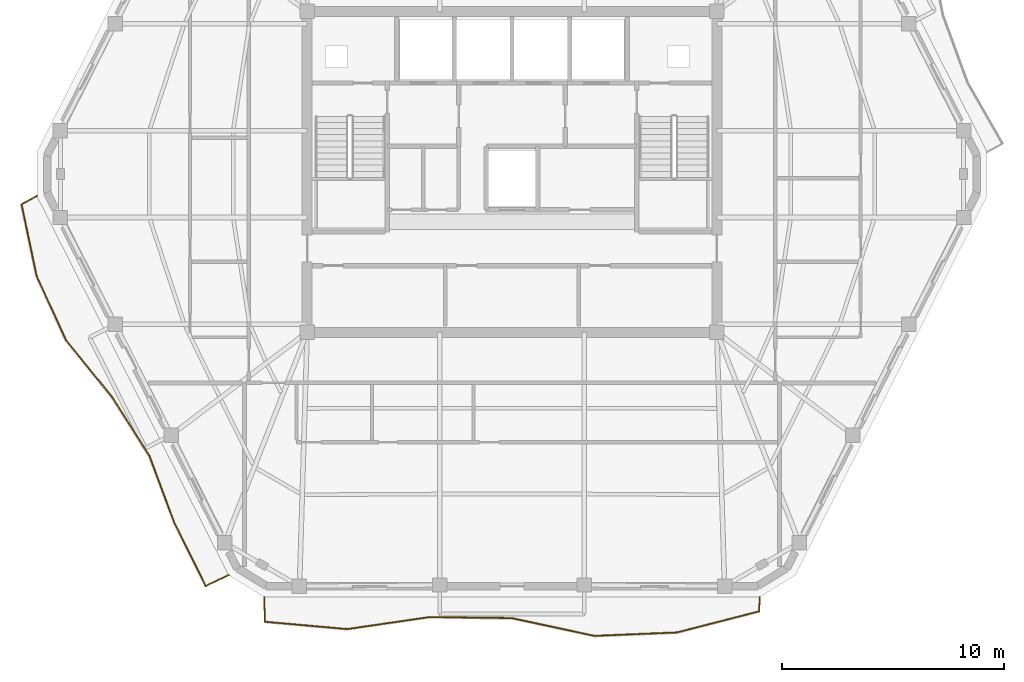
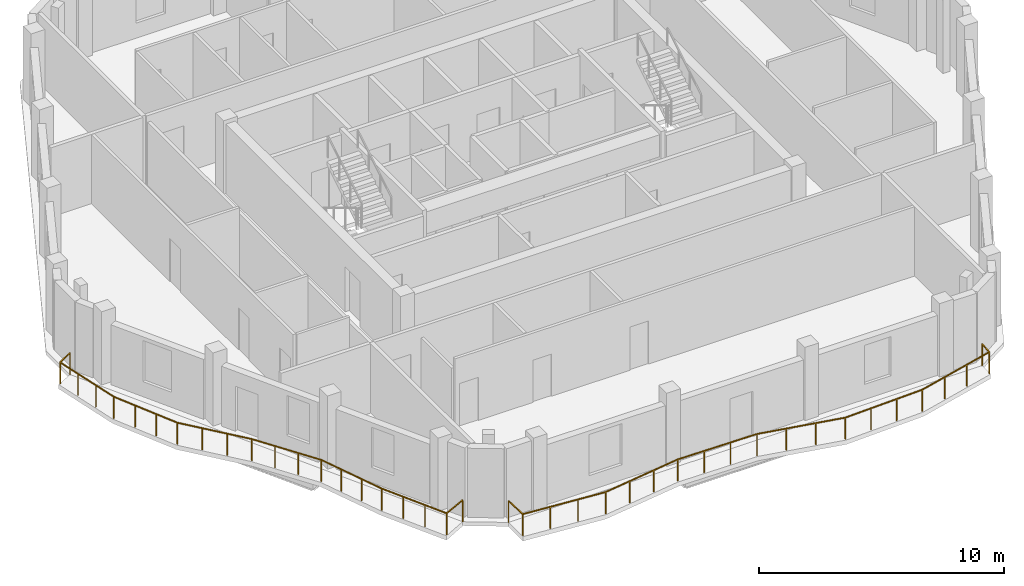
# One storey, part 8 of 10: 2 railings.
"""IFC4 building model written with IfcOpenShell, lengths in metres."""

from ifc_helpers import new_model, si_unit, direction, frame, origin, origin_2d, place, context, subcontext, project, spatial, rectangle, extrude, material, type_object, element, save


model = new_model("IFC4")

# Units and contexts
model_context = context("Model", 3, precision=1e-05, world=origin(), true_north=direction((0.0, 1.0)))
body_context = subcontext(model_context, "Body", "Model", "MODEL_VIEW")
ifc_project = project(units=[si_unit("LENGTHUNIT", "METRE"), si_unit("AREAUNIT", "SQUARE_METRE"), si_unit("VOLUMEUNIT", "CUBIC_METRE"), si_unit("PLANEANGLEUNIT", "RADIAN"), si_unit("MASSUNIT", "GRAM", prefix="KILO")], contexts=[model_context])

# Site, building, storey
site_placement = place(None, origin())
site = spatial("IfcSite", under=ifc_project, at=site_placement, CompositionType="ELEMENT")
building_placement = place(site_placement, origin())
building = spatial("IfcBuilding", under=site, at=building_placement, Name="Cinnabar Lancet Tower", CompositionType="ELEMENT")
storey_placement = place(building_placement, frame((0.0, 0.0, 263.5)))
storey = spatial("IfcBuildingStorey", under=building, at=storey_placement, Name="L70", CompositionType="ELEMENT", Elevation=263.5)

# Railings
ifc_material = material(Name="Laminated safety glass and bronze stainless steel balustrade", Category="steel")
railing_type = type_object("IfcRailingType", Name="ENV-RLG-BAL-1100", PredefinedType="BALUSTRADE", material=ifc_material)
railing_1_placement = place(storey_placement, frame((21.236083984375, 6.75, 0.0)))
element("IfcRailing", 1, at=railing_1_placement, inside=storey, type_object=railing_type, Name="L70 Face 1 Wave Balcony Balustrade", PredefinedType="BALUSTRADE", context=body_context, shape_type="SweptSolid", body=[
    extrude(rectangle(XDim=0.048095703125, YDim=0.048095703125, at=origin_2d()), frame((0.0, 0.0, 1.076171875), z_axis=(0.030474981061, -0.999535529898, 0.0), x_axis=(0.999535529898, 0.030474981061, 0.0)), (0.0, 0.0, 1.0), 1.113525390625),
    extrude(rectangle(XDim=0.048095703125, YDim=0.048095703125, at=origin_2d()), frame((0.033935546875, -1.113037109375, 1.076171875), z_axis=(0.99609636483, -0.088272487067, 0.0), x_axis=(0.088272487067, 0.99609636483, 0.0)), (0.0, 0.0, 1.0), 3.7255859375),
    extrude(rectangle(XDim=0.048095703125, YDim=0.048095703125, at=origin_2d()), frame((3.744873046875, -1.44189453125, 1.076171875), z_axis=(0.98950197199, 0.144519366962, 0.0), x_axis=(-0.144519366962, 0.98950197199, 0.0)), (0.0, 0.0, 1.0), 3.750244140625),
    extrude(rectangle(XDim=0.048095703125, YDim=0.048095703125, at=origin_2d()), frame((7.455810546875, -0.89990234375, 1.076171875), z_axis=(0.999908921218, -0.013496268689, 0.0), x_axis=(0.013496268689, 0.999908921218, 0.0)), (0.0, 0.0, 1.0), 3.708251953125),
    extrude(rectangle(XDim=0.048095703125, YDim=0.048095703125, at=origin_2d()), frame((11.163818359375, -0.949951171875, 1.076171875), z_axis=(0.977676038801, -0.210117974374, 0.0), x_axis=(0.210117974374, 0.977676038801, 0.0)), (0.0, 0.0, 1.0), 3.793701171875),
    extrude(rectangle(XDim=0.048095703125, YDim=0.048095703125, at=origin_2d()), frame((14.872802734375, -1.7470703125, 1.076171875), z_axis=(0.999160765381, 0.040960528843, 0.0), x_axis=(-0.040960528843, 0.999160765381, 0.0)), (0.0, 0.0, 1.0), 3.71337890625),
    extrude(rectangle(XDim=0.048095703125, YDim=0.048095703125, at=origin_2d()), frame((18.5830078125, -1.594970703125, 1.076171875), z_axis=(0.96851707852, 0.248947120117, 0.0), x_axis=(-0.248947120117, 0.96851707852, 0.0)), (0.0, 0.0, 1.0), 3.83154296875),
    extrude(rectangle(XDim=0.048095703125, YDim=0.048095703125, at=origin_2d()), frame((22.2939453125, -0.64111328125, 1.076171875), z_axis=(0.0528582185, 0.998602027205, 0.0), x_axis=(-0.998602027205, 0.0528582185, 0.0)), (0.0, 0.0, 1.0), 0.64208984375),
    extrude(rectangle(XDim=0.0419921875, YDim=0.0419921875, at=origin_2d()), origin(), (0.0, 0.0, 1.0), 1.052001953125),
    extrude(rectangle(XDim=0.0419921875, YDim=0.0419921875, at=origin_2d()), frame((0.033935546875, -1.113037109375, 0.0)), (0.0, 0.0, 1.0), 1.052001953125),
    extrude(rectangle(XDim=0.0419921875, YDim=0.0419921875, at=origin_2d()), frame((1.27099609375, -1.22265625, 0.0)), (0.0, 0.0, 1.0), 1.052001953125),
    extrude(rectangle(XDim=0.0419921875, YDim=0.0419921875, at=origin_2d()), frame((2.5078125, -1.332275390625, 0.0)), (0.0, 0.0, 1.0), 1.052001953125),
    extrude(rectangle(XDim=0.0419921875, YDim=0.0419921875, at=origin_2d()), frame((3.744873046875, -1.44189453125, 0.0)), (0.0, 0.0, 1.0), 1.052001953125),
    extrude(rectangle(XDim=0.0419921875, YDim=0.0419921875, at=origin_2d()), frame((4.98193359375, -1.26123046875, 0.0)), (0.0, 0.0, 1.0), 1.052001953125),
    extrude(rectangle(XDim=0.0419921875, YDim=0.0419921875, at=origin_2d()), frame((6.21875, -1.08056640625, 0.0)), (0.0, 0.0, 1.0), 1.052001953125),
    extrude(rectangle(XDim=0.0419921875, YDim=0.0419921875, at=origin_2d()), frame((7.455810546875, -0.89990234375, 0.0)), (0.0, 0.0, 1.0), 1.052001953125),
    extrude(rectangle(XDim=0.0419921875, YDim=0.0419921875, at=origin_2d()), frame((8.69189453125, -0.91650390625, 0.0)), (0.0, 0.0, 1.0), 1.052001953125),
    extrude(rectangle(XDim=0.0419921875, YDim=0.0419921875, at=origin_2d()), frame((9.927734375, -0.933349609375, 0.0)), (0.0, 0.0, 1.0), 1.052001953125),
    extrude(rectangle(XDim=0.0419921875, YDim=0.0419921875, at=origin_2d()), frame((11.163818359375, -0.949951171875, 0.0)), (0.0, 0.0, 1.0), 1.052001953125),
    extrude(rectangle(XDim=0.0419921875, YDim=0.0419921875, at=origin_2d()), frame((12.400146484375, -1.215576171875, 0.0)), (0.0, 0.0, 1.0), 1.052001953125),
    extrude(rectangle(XDim=0.0419921875, YDim=0.0419921875, at=origin_2d()), frame((13.636474609375, -1.4814453125, 0.0)), (0.0, 0.0, 1.0), 1.052001953125),
    extrude(rectangle(XDim=0.0419921875, YDim=0.0419921875, at=origin_2d()), frame((14.872802734375, -1.7470703125, 0.0)), (0.0, 0.0, 1.0), 1.052001953125),
    extrude(rectangle(XDim=0.0419921875, YDim=0.0419921875, at=origin_2d()), frame((16.109619140625, -1.6962890625, 0.0)), (0.0, 0.0, 1.0), 1.052001953125),
    extrude(rectangle(XDim=0.0419921875, YDim=0.0419921875, at=origin_2d()), frame((17.34619140625, -1.645751953125, 0.0)), (0.0, 0.0, 1.0), 1.052001953125),
    extrude(rectangle(XDim=0.0419921875, YDim=0.0419921875, at=origin_2d()), frame((18.5830078125, -1.594970703125, 0.0)), (0.0, 0.0, 1.0), 1.052001953125),
    extrude(rectangle(XDim=0.0419921875, YDim=0.0419921875, at=origin_2d()), frame((19.820068359375, -1.277099609375, 0.0)), (0.0, 0.0, 1.0), 1.052001953125),
    extrude(rectangle(XDim=0.0419921875, YDim=0.0419921875, at=origin_2d()), frame((21.056884765625, -0.958984375, 0.0)), (0.0, 0.0, 1.0), 1.052001953125),
    extrude(rectangle(XDim=0.0419921875, YDim=0.0419921875, at=origin_2d()), frame((22.2939453125, -0.64111328125, 0.0)), (0.0, 0.0, 1.0), 1.052001953125),
    extrude(rectangle(XDim=0.0419921875, YDim=0.0419921875, at=origin_2d()), frame((22.327880859375, 0.0, 0.0)), (0.0, 0.0, 1.0), 1.052001953125),
])
railing_2_placement = place(storey_placement, frame((10.9970703125, 24.818115234375, 0.0)))
element("IfcRailing", 2, at=railing_2_placement, inside=storey, type_object=railing_type, Name="L70 Face 6 Wave Balcony Balustrade", PredefinedType="BALUSTRADE", context=body_context, shape_type="SweptSolid", body=[
    extrude(rectangle(XDim=0.048095703125, YDim=0.048095703125, at=origin_2d()), frame((0.0, 0.0, 1.076171875), z_axis=(-0.875463895987, -0.483283526331, 0.0), x_axis=(0.483283526331, -0.875463895987, 0.0)), (0.0, 0.0, 1.0), 0.782470703125),
    extrude(rectangle(XDim=0.048095703125, YDim=0.048095703125, at=origin_2d()), frame((-0.68505859375, -0.378173828125, 1.076171875), z_axis=(0.205633000828, -0.978629178479, 0.0), x_axis=(0.978629178479, 0.205633000828, 0.0)), (0.0, 0.0, 1.0), 3.292236328125),
    extrude(rectangle(XDim=0.048095703125, YDim=0.048095703125, at=origin_2d()), frame((-0.008056640625, -3.60009765625, 1.076171875), z_axis=(0.415159936859, -0.909748441509, 0.0), x_axis=(0.909748441509, 0.415159936859, 0.0)), (0.0, 0.0, 1.0), 3.184326171875),
    extrude(rectangle(XDim=0.048095703125, YDim=0.048095703125, at=origin_2d()), frame((1.31396484375, -6.4970703125, 1.076171875), z_axis=(0.630324246, -0.776331981117, 0.0), x_axis=(0.776331981117, 0.630324246, 0.0)), (0.0, 0.0, 1.0), 3.25390625),
    extrude(rectangle(XDim=0.048095703125, YDim=0.048095703125, at=origin_2d()), frame((3.364990234375, -9.023193359375, 1.076171875), z_axis=(0.535980481439, -0.844230373486, 0.0), x_axis=(0.844230373486, 0.535980481439, 0.0)), (0.0, 0.0, 1.0), 3.19580078125),
    extrude(rectangle(XDim=0.048095703125, YDim=0.048095703125, at=origin_2d()), frame((5.077880859375, -11.72119140625, 1.076171875), z_axis=(0.348816257013, -0.937191132504, 0.0), x_axis=(0.937191132504, 0.348816257013, 0.0)), (0.0, 0.0, 1.0), 3.2021484375),
    extrude(rectangle(XDim=0.048095703125, YDim=0.048095703125, at=origin_2d()), frame((6.19482421875, -14.72216796875, 1.076171875), z_axis=(0.44460359859, -0.895727436289, 0.0), x_axis=(0.895727436289, 0.44460359859, 0.0)), (0.0, 0.0, 1.0), 3.1826171875),
    extrude(rectangle(XDim=0.048095703125, YDim=0.048095703125, at=origin_2d()), frame((7.60986328125, -17.572998046875, 1.076171875), z_axis=(0.904420688463, 0.42664179153, 0.0), x_axis=(-0.42664179153, 0.904420688463, 0.0)), (0.0, 0.0, 1.0), 1.14111328125),
    extrude(rectangle(XDim=0.0419921875, YDim=0.0419921875, at=origin_2d()), origin(), (0.0, 0.0, 1.0), 1.052001953125),
    extrude(rectangle(XDim=0.0419921875, YDim=0.0419921875, at=origin_2d()), frame((-0.68505859375, -0.378173828125, 0.0)), (0.0, 0.0, 1.0), 1.052001953125),
    extrude(rectangle(XDim=0.0419921875, YDim=0.0419921875, at=origin_2d()), frame((-0.45947265625, -1.4521484375, 0.0)), (0.0, 0.0, 1.0), 1.052001953125),
    extrude(rectangle(XDim=0.0419921875, YDim=0.0419921875, at=origin_2d()), frame((-0.233642578125, -2.526123046875, 0.0)), (0.0, 0.0, 1.0), 1.052001953125),
    extrude(rectangle(XDim=0.0419921875, YDim=0.0419921875, at=origin_2d()), frame((-0.008056640625, -3.60009765625, 0.0)), (0.0, 0.0, 1.0), 1.052001953125),
    extrude(rectangle(XDim=0.0419921875, YDim=0.0419921875, at=origin_2d()), frame((0.4326171875, -4.565673828125, 0.0)), (0.0, 0.0, 1.0), 1.052001953125),
    extrude(rectangle(XDim=0.0419921875, YDim=0.0419921875, at=origin_2d()), frame((0.873291015625, -5.531494140625, 0.0)), (0.0, 0.0, 1.0), 1.052001953125),
    extrude(rectangle(XDim=0.0419921875, YDim=0.0419921875, at=origin_2d()), frame((1.31396484375, -6.4970703125, 0.0)), (0.0, 0.0, 1.0), 1.052001953125),
    extrude(rectangle(XDim=0.0419921875, YDim=0.0419921875, at=origin_2d()), frame((1.99755859375, -7.339111328125, 0.0)), (0.0, 0.0, 1.0), 1.052001953125),
    extrude(rectangle(XDim=0.0419921875, YDim=0.0419921875, at=origin_2d()), frame((2.681396484375, -8.18115234375, 0.0)), (0.0, 0.0, 1.0), 1.052001953125),
    extrude(rectangle(XDim=0.0419921875, YDim=0.0419921875, at=origin_2d()), frame((3.364990234375, -9.023193359375, 0.0)), (0.0, 0.0, 1.0), 1.052001953125),
    extrude(rectangle(XDim=0.0419921875, YDim=0.0419921875, at=origin_2d()), frame((3.93603515625, -9.922607421875, 0.0)), (0.0, 0.0, 1.0), 1.052001953125),
    extrude(rectangle(XDim=0.0419921875, YDim=0.0419921875, at=origin_2d()), frame((4.5068359375, -10.82177734375, 0.0)), (0.0, 0.0, 1.0), 1.052001953125),
    extrude(rectangle(XDim=0.0419921875, YDim=0.0419921875, at=origin_2d()), frame((5.077880859375, -11.72119140625, 0.0)), (0.0, 0.0, 1.0), 1.052001953125),
    extrude(rectangle(XDim=0.0419921875, YDim=0.0419921875, at=origin_2d()), frame((5.4501953125, -12.721435546875, 0.0)), (0.0, 0.0, 1.0), 1.052001953125),
    extrude(rectangle(XDim=0.0419921875, YDim=0.0419921875, at=origin_2d()), frame((5.822509765625, -13.721923828125, 0.0)), (0.0, 0.0, 1.0), 1.052001953125),
    extrude(rectangle(XDim=0.0419921875, YDim=0.0419921875, at=origin_2d()), frame((6.19482421875, -14.72216796875, 0.0)), (0.0, 0.0, 1.0), 1.052001953125),
    extrude(rectangle(XDim=0.0419921875, YDim=0.0419921875, at=origin_2d()), frame((6.66650390625, -15.67236328125, 0.0)), (0.0, 0.0, 1.0), 1.052001953125),
    extrude(rectangle(XDim=0.0419921875, YDim=0.0419921875, at=origin_2d()), frame((7.13818359375, -16.622802734375, 0.0)), (0.0, 0.0, 1.0), 1.052001953125),
    extrude(rectangle(XDim=0.0419921875, YDim=0.0419921875, at=origin_2d()), frame((7.60986328125, -17.572998046875, 0.0)), (0.0, 0.0, 1.0), 1.052001953125),
    extrude(rectangle(XDim=0.0419921875, YDim=0.0419921875, at=origin_2d()), frame((8.641845703125, -17.086181640625, 0.0)), (0.0, 0.0, 1.0), 1.052001953125),
])

save(model, "model.ifc")
